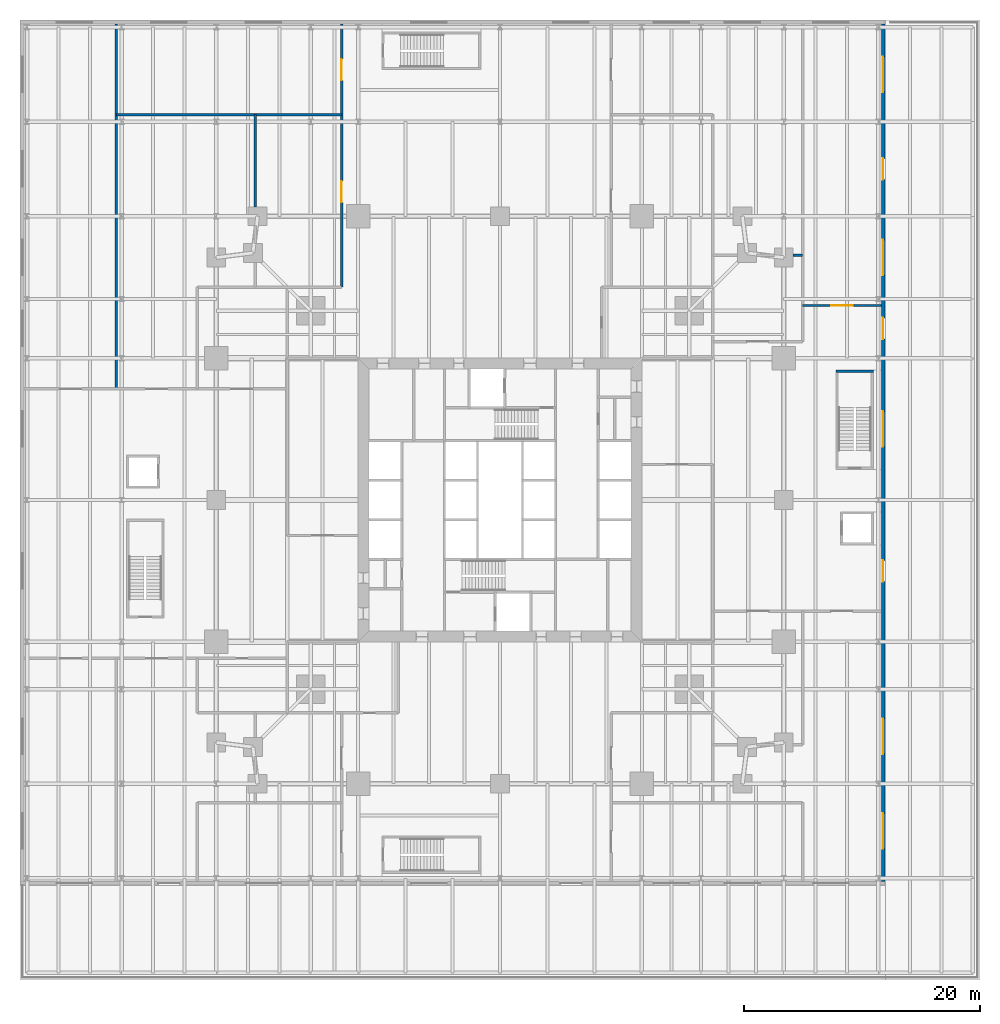
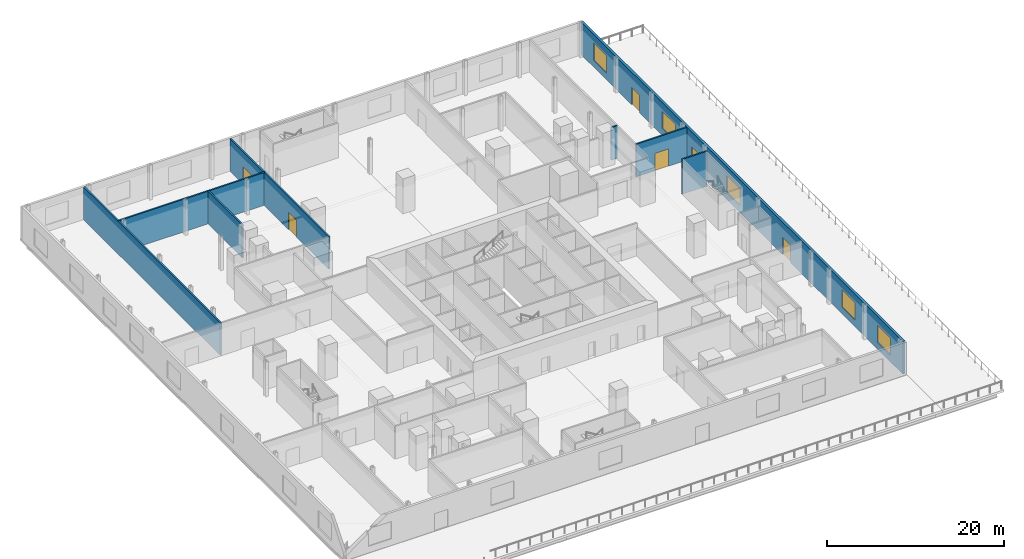
# One storey, part 14 of 18: 8 walls, 6 doors, 5 windows, 11 openings.
"""IFC4 building model written with IfcOpenShell, lengths in metres."""

from ifc_helpers import new_model, si_unit, direction, frame, frame_2d, origin, place, context, subcontext, project, spatial, rectangle, extrude, material, layer, layer_set, type_object, element, fill, save


model = new_model("IFC4")

# Units and contexts
model_context = context("Model", 3, precision=1e-05, world=origin(), true_north=direction((0.0, 1.0)))
body_context = subcontext(model_context, "Body", "Model", "MODEL_VIEW")
ifc_project = project(units=[si_unit("LENGTHUNIT", "METRE"), si_unit("AREAUNIT", "SQUARE_METRE"), si_unit("VOLUMEUNIT", "CUBIC_METRE"), si_unit("PLANEANGLEUNIT", "RADIAN"), si_unit("MASSUNIT", "GRAM", prefix="KILO")], contexts=[model_context])

# Site, building, storey
site_placement = place(None, origin())
site = spatial("IfcSite", under=ifc_project, at=site_placement, CompositionType="ELEMENT")
building_placement = place(site_placement, origin())
building = spatial("IfcBuilding", under=site, at=building_placement, Name="Fenwick Lantern Interchange", CompositionType="ELEMENT")
storey_placement = place(building_placement, frame((0.0, 0.0, 11.800048828125)))
storey = spatial("IfcBuildingStorey", under=building, at=storey_placement, Name="L02", CompositionType="ELEMENT", Elevation=11.800048828125)

# Wall, openings, doors, windows
ifc_material_1 = material(Name="Limestone ASTM C568 Classification II", Category="masonry")
ifc_layer_1 = layer(ifc_material_1, 0.074951171875)
ifc_material_2 = material(Name="Mineral wool insulation")
ifc_layer_2 = layer(ifc_material_2, 0.125)
ifc_material_3 = material(Name="Cold-formed galvanised steel studs", Category="steel")
ifc_layer_3 = layer(ifc_material_3, 0.10009765625)
ifc_layer_set_1 = layer_set([ifc_layer_1, ifc_layer_2, ifc_layer_3], Name="Limestone ASTM C568 Classification II")
wall_type_1 = type_object("IfcWallType", Name="LIMESTONE RAINSCREEN WALL 300", PredefinedType="SOLIDWALL", material=ifc_layer_set_1)
wall_1_placement = place(storey_placement, frame((57.39990234375, -7.25, 0.0), z_axis=(0.0, 0.0, 1.0), x_axis=(0.0, 1.0, 0.0)))
wall_1 = element("IfcWall", 1, at=wall_1_placement, inside=storey, type_object=wall_type_1, Name="L02/EW/E", PredefinedType="SOLIDWALL", context=body_context, shape_type="SweptSolid", body=[
    extrude(rectangle(XDim=72.5, YDim=0.300048828125, at=frame_2d((36.25, 0.0))), origin(), (0.0, 0.0, 1.0), 4.5),
])
opening_1_placement = place(wall_1_placement, frame((25.35009765625, 0.0, 0.0)))
opening_1 = element("IfcOpeningElement", 2, at=opening_1_placement, cuts=wall_1, Name="Opening L02-D003", PredefinedType="OPENING", context=body_context, shape_type="SweptSolid", body=[
    extrude(rectangle(XDim=1.800048828125, YDim=2.39990234375, at=frame_2d((0.89990234375, 1.199951171875))), frame((0.0, 0.159912109375, 0.0), z_axis=(0.0, -1.0, 0.0), x_axis=(1.0, 0.0, 0.0)), (0.0, 0.0, 1.0), 0.320068359375),
])
opening_2_placement = place(wall_1_placement, frame((45.85009765625, 0.0, 0.0)))
opening_2 = element("IfcOpeningElement", 3, at=opening_2_placement, cuts=wall_1, Name="Opening L02-D004", PredefinedType="OPENING", context=body_context, shape_type="SweptSolid", body=[
    extrude(rectangle(XDim=1.800048828125, YDim=2.39990234375, at=frame_2d((0.89990234375, 1.199951171875))), frame((0.0, 0.159912109375, 0.0), z_axis=(0.0, -1.0, 0.0), x_axis=(1.0, 0.0, 0.0)), (0.0, 0.0, 1.0), 0.320068359375),
])
opening_3_placement = place(wall_1_placement, frame((59.35009765625, 0.0, 0.0)))
opening_3 = element("IfcOpeningElement", 4, at=opening_3_placement, cuts=wall_1, Name="Opening L02-D005", PredefinedType="OPENING", context=body_context, shape_type="SweptSolid", body=[
    extrude(rectangle(XDim=1.800048828125, YDim=2.39990234375, at=frame_2d((0.89990234375, 1.199951171875))), frame((0.0, 0.159912109375, 0.0), z_axis=(0.0, -1.0, 0.0), x_axis=(1.0, 0.0, 0.0)), (0.0, 0.0, 1.0), 0.320068359375),
])
opening_4_placement = place(wall_1_placement, frame((2.75, 0.0, 0.89990234375)))
opening_4 = element("IfcOpeningElement", 5, at=opening_4_placement, cuts=wall_1, Name="Opening W1", PredefinedType="OPENING", context=body_context, shape_type="SweptSolid", body=[
    extrude(rectangle(XDim=3.0, YDim=2.39990234375, at=frame_2d((1.5, 1.199951171875))), frame((0.0, 0.159912109375, 0.0), z_axis=(0.0, -1.0, 0.0), x_axis=(1.0, 0.0, 0.0)), (0.0, 0.0, 1.0), 0.320068359375),
])
opening_5_placement = place(wall_1_placement, frame((10.75, 0.0, 0.89990234375)))
opening_5 = element("IfcOpeningElement", 6, at=opening_5_placement, cuts=wall_1, Name="Opening W1", PredefinedType="OPENING", context=body_context, shape_type="SweptSolid", body=[
    extrude(rectangle(XDim=3.0, YDim=2.39990234375, at=frame_2d((1.5, 1.199951171875))), frame((0.0, 0.159912109375, 0.0), z_axis=(0.0, -1.0, 0.0), x_axis=(1.0, 0.0, 0.0)), (0.0, 0.0, 1.0), 0.320068359375),
])
opening_6_placement = place(wall_1_placement, frame((36.75, 0.0, 0.89990234375)))
opening_6 = element("IfcOpeningElement", 7, at=opening_6_placement, cuts=wall_1, Name="Opening W1", PredefinedType="OPENING", context=body_context, shape_type="SweptSolid", body=[
    extrude(rectangle(XDim=3.0, YDim=2.39990234375, at=frame_2d((1.5, 1.199951171875))), frame((0.0, 0.159912109375, 0.0), z_axis=(0.0, -1.0, 0.0), x_axis=(1.0, 0.0, 0.0)), (0.0, 0.0, 1.0), 0.320068359375),
])
opening_7_placement = place(wall_1_placement, frame((51.25, 0.0, 0.89990234375)))
opening_7 = element("IfcOpeningElement", 8, at=opening_7_placement, cuts=wall_1, Name="Opening W1", PredefinedType="OPENING", context=body_context, shape_type="SweptSolid", body=[
    extrude(rectangle(XDim=3.0, YDim=2.39990234375, at=frame_2d((1.5, 1.199951171875))), frame((0.0, 0.159912109375, 0.0), z_axis=(0.0, -1.0, 0.0), x_axis=(1.0, 0.0, 0.0)), (0.0, 0.0, 1.0), 0.320068359375),
])
opening_8_placement = place(wall_1_placement, frame((66.75, 0.0, 0.89990234375)))
opening_8 = element("IfcOpeningElement", 9, at=opening_8_placement, cuts=wall_1, Name="Opening W1", PredefinedType="OPENING", context=body_context, shape_type="SweptSolid", body=[
    extrude(rectangle(XDim=3.0, YDim=2.39990234375, at=frame_2d((1.5, 1.199951171875))), frame((0.0, 0.159912109375, 0.0), z_axis=(0.0, -1.0, 0.0), x_axis=(1.0, 0.0, 0.0)), (0.0, 0.0, 1.0), 0.320068359375),
])
ifc_material_4 = material(Name="Aluminium glazed door", Category="aluminium")
door_type_1 = type_object("IfcDoorType", Name="ENTRANCE DOOR PAIR 1800 X 2400", OperationType="DOUBLE_DOOR_SINGLE_SWING", PredefinedType="DOOR", material=ifc_material_4)
door_1_placement = place(opening_1_placement, origin())
door_1 = element("IfcDoor", 10, at=door_1_placement, inside=storey, type_object=door_type_1, Name="Entrance door pair", OperationType="DOUBLE_DOOR_SINGLE_SWING", OverallHeight=2.39990234375, OverallWidth=1.800048828125, PredefinedType="DOOR", context=body_context, shape_type="SweptSolid", body=[
    extrude(rectangle(XDim=1.800048828125, YDim=2.39990234375, at=frame_2d((0.89990234375, 1.199951171875))), frame((0.0, 0.02490234375, 0.0), z_axis=(0.0, -1.0, 0.0), x_axis=(1.0, 0.0, 0.0)), (0.0, 0.0, 1.0), 0.050048828125),
])
fill(opening_1, door_1)
door_2_placement = place(opening_2_placement, origin())
door_2 = element("IfcDoor", 11, at=door_2_placement, inside=storey, type_object=door_type_1, Name="Entrance door pair", OperationType="DOUBLE_DOOR_SINGLE_SWING", OverallHeight=2.39990234375, OverallWidth=1.800048828125, PredefinedType="DOOR", context=body_context, shape_type="SweptSolid", body=[
    extrude(rectangle(XDim=1.800048828125, YDim=2.39990234375, at=frame_2d((0.89990234375, 1.199951171875))), frame((0.0, 0.02490234375, 0.0), z_axis=(0.0, -1.0, 0.0), x_axis=(1.0, 0.0, 0.0)), (0.0, 0.0, 1.0), 0.050048828125),
])
fill(opening_2, door_2)
door_3_placement = place(opening_3_placement, origin())
door_3 = element("IfcDoor", 12, at=door_3_placement, inside=storey, type_object=door_type_1, Name="Entrance door pair", OperationType="DOUBLE_DOOR_SINGLE_SWING", OverallHeight=2.39990234375, OverallWidth=1.800048828125, PredefinedType="DOOR", context=body_context, shape_type="SweptSolid", body=[
    extrude(rectangle(XDim=1.800048828125, YDim=2.39990234375, at=frame_2d((0.89990234375, 1.199951171875))), frame((0.0, 0.02490234375, 0.0), z_axis=(0.0, -1.0, 0.0), x_axis=(1.0, 0.0, 0.0)), (0.0, 0.0, 1.0), 0.050048828125),
])
fill(opening_3, door_3)
ifc_material_5 = material(Name="Aluminium window, clear glass", Category="aluminium")
window_type = type_object("IfcWindowType", Name="PODIUM WINDOW 3000 X 2400", PartitioningType="SINGLE_PANEL", PredefinedType="WINDOW", material=ifc_material_5)
window_1_placement = place(opening_4_placement, origin())
window_1 = element("IfcWindow", 13, at=window_1_placement, inside=storey, type_object=window_type, Name="Podium window", OverallHeight=2.39990234375, OverallWidth=3.0, PartitioningType="SINGLE_PANEL", PredefinedType="WINDOW", context=body_context, shape_type="SweptSolid", body=[
    extrude(rectangle(XDim=3.0, YDim=2.39990234375, at=frame_2d((1.5, 1.199951171875))), frame((0.0, 0.030029296875, 0.0), z_axis=(0.0, -1.0, 0.0), x_axis=(1.0, 0.0, 0.0)), (0.0, 0.0, 1.0), 0.06005859375),
])
fill(opening_4, window_1)
window_2_placement = place(opening_5_placement, origin())
window_2 = element("IfcWindow", 14, at=window_2_placement, inside=storey, type_object=window_type, Name="Podium window", OverallHeight=2.39990234375, OverallWidth=3.0, PartitioningType="SINGLE_PANEL", PredefinedType="WINDOW", context=body_context, shape_type="SweptSolid", body=[
    extrude(rectangle(XDim=3.0, YDim=2.39990234375, at=frame_2d((1.5, 1.199951171875))), frame((0.0, 0.030029296875, 0.0), z_axis=(0.0, -1.0, 0.0), x_axis=(1.0, 0.0, 0.0)), (0.0, 0.0, 1.0), 0.06005859375),
])
fill(opening_5, window_2)
window_3_placement = place(opening_6_placement, origin())
window_3 = element("IfcWindow", 15, at=window_3_placement, inside=storey, type_object=window_type, Name="Podium window", OverallHeight=2.39990234375, OverallWidth=3.0, PartitioningType="SINGLE_PANEL", PredefinedType="WINDOW", context=body_context, shape_type="SweptSolid", body=[
    extrude(rectangle(XDim=3.0, YDim=2.39990234375, at=frame_2d((1.5, 1.199951171875))), frame((0.0, 0.030029296875, 0.0), z_axis=(0.0, -1.0, 0.0), x_axis=(1.0, 0.0, 0.0)), (0.0, 0.0, 1.0), 0.06005859375),
])
fill(opening_6, window_3)
window_4_placement = place(opening_7_placement, origin())
window_4 = element("IfcWindow", 16, at=window_4_placement, inside=storey, type_object=window_type, Name="Podium window", OverallHeight=2.39990234375, OverallWidth=3.0, PartitioningType="SINGLE_PANEL", PredefinedType="WINDOW", context=body_context, shape_type="SweptSolid", body=[
    extrude(rectangle(XDim=3.0, YDim=2.39990234375, at=frame_2d((1.5, 1.199951171875))), frame((0.0, 0.030029296875, 0.0), z_axis=(0.0, -1.0, 0.0), x_axis=(1.0, 0.0, 0.0)), (0.0, 0.0, 1.0), 0.06005859375),
])
fill(opening_7, window_4)
window_5_placement = place(opening_8_placement, origin())
window_5 = element("IfcWindow", 17, at=window_5_placement, inside=storey, type_object=window_type, Name="Podium window", OverallHeight=2.39990234375, OverallWidth=3.0, PartitioningType="SINGLE_PANEL", PredefinedType="WINDOW", context=body_context, shape_type="SweptSolid", body=[
    extrude(rectangle(XDim=3.0, YDim=2.39990234375, at=frame_2d((1.5, 1.199951171875))), frame((0.0, 0.030029296875, 0.0), z_axis=(0.0, -1.0, 0.0), x_axis=(1.0, 0.0, 0.0)), (0.0, 0.0, 1.0), 0.06005859375),
])
fill(opening_8, window_5)

# Walls
ifc_material_6 = material(Name="Gypsum board on steel studs, 1 hour", Category="steel")
ifc_layer_4 = layer(ifc_material_6, 0.199951171875)
ifc_layer_set_2 = layer_set([ifc_layer_4], Name="ROOM WALL 200")
wall_type_2 = type_object("IfcWallType", Name="ROOM WALL 200", PredefinedType="PARTITIONING", material=ifc_layer_set_2)
wall_2_placement = place(storey_placement, frame((-7.449951171875, 34.39990234375, 0.0), z_axis=(0.0, 0.0, 1.0), x_axis=(0.0, 1.0, 0.0)))
element("IfcWall", 18, at=wall_2_placement, inside=storey, type_object=wall_type_2, Name="L02/W/POD/X-7.45-2", PredefinedType="PARTITIONING", context=body_context, shape_type="SweptSolid", body=[
    extrude(rectangle(XDim=30.85009765625, YDim=0.199951171875, at=frame_2d((15.425048828125, 0.0))), origin(), (0.0, 0.0, 1.0), 4.5),
])
wall_3_placement = place(storey_placement, frame((4.300048828125, 49.800048828125, 0.0), z_axis=(0.0, 0.0, 1.0), x_axis=(0.0, 1.0, 0.0)))
element("IfcWall", 19, at=wall_3_placement, inside=storey, type_object=wall_type_2, Name="L02/W/POD/X4.3-6", PredefinedType="PARTITIONING", context=body_context, shape_type="SweptSolid", body=[
    extrude(rectangle(XDim=7.800048828125, YDim=0.199951171875, at=frame_2d((3.89990234375, 0.0))), origin(), (0.0, 0.0, 1.0), 4.5),
])

# Wall, openings, doors
wall_4_placement = place(storey_placement, frame((11.60009765625, 43.0, 0.0), z_axis=(0.0, 0.0, 1.0), x_axis=(0.0, 1.0, 0.0)))
wall_4 = element("IfcWall", 20, at=wall_4_placement, inside=storey, type_object=wall_type_2, Name="L02/W/POD/X11.6-2", PredefinedType="PARTITIONING", context=body_context, shape_type="SweptSolid", body=[
    extrude(rectangle(XDim=22.25, YDim=0.199951171875, at=frame_2d((11.125, 0.0))), origin(), (0.0, 0.0, 1.0), 4.5),
])
opening_9_placement = place(wall_4_placement, frame((7.175048828125, 0.0, 0.0)))
opening_9 = element("IfcOpeningElement", 21, at=opening_9_placement, cuts=wall_4, Name="Opening L02-D044", PredefinedType="OPENING", context=body_context, shape_type="SweptSolid", body=[
    extrude(rectangle(XDim=1.800048828125, YDim=2.39990234375, at=frame_2d((0.89990234375, 1.199951171875))), frame((0.0, 0.10986328125, 0.0), z_axis=(0.0, -1.0, 0.0), x_axis=(1.0, 0.0, 0.0)), (0.0, 0.0, 1.0), 0.219970703125),
])
opening_10_placement = place(wall_4_placement, frame((17.5, 0.0, 0.0)))
opening_10 = element("IfcOpeningElement", 22, at=opening_10_placement, cuts=wall_4, Name="Opening L02-D045", PredefinedType="OPENING", context=body_context, shape_type="SweptSolid", body=[
    extrude(rectangle(XDim=1.800048828125, YDim=2.39990234375, at=frame_2d((0.89990234375, 1.199951171875))), frame((0.0, 0.10986328125, 0.0), z_axis=(0.0, -1.0, 0.0), x_axis=(1.0, 0.0, 0.0)), (0.0, 0.0, 1.0), 0.219970703125),
])
ifc_material_7 = material(Name="Steel door and frame", Category="steel")
door_type_2 = type_object("IfcDoorType", Name="ROOM DOOR PAIR 1800 X 2400", OperationType="DOUBLE_DOOR_SINGLE_SWING", PredefinedType="DOOR", material=ifc_material_7)
door_4_placement = place(opening_9_placement, frame((1.800048828125, 0.0, 0.0), z_axis=(0.0, 0.0, 1.0), x_axis=(-1.0, 0.0, 0.0)))
door_4 = element("IfcDoor", 23, at=door_4_placement, inside=storey, type_object=door_type_2, Name="Room door pair", OperationType="DOUBLE_DOOR_SINGLE_SWING", OverallHeight=2.39990234375, OverallWidth=1.800048828125, PredefinedType="DOOR", context=body_context, shape_type="SweptSolid", body=[
    extrude(rectangle(XDim=1.800048828125, YDim=2.39990234375, at=frame_2d((0.89990234375, 1.199951171875))), frame((0.0, 0.02490234375, 0.0), z_axis=(0.0, -1.0, 0.0), x_axis=(1.0, 0.0, 0.0)), (0.0, 0.0, 1.0), 0.050048828125),
])
fill(opening_9, door_4)
door_5_placement = place(opening_10_placement, frame((1.800048828125, 0.0, 0.0), z_axis=(0.0, 0.0, 1.0), x_axis=(-1.0, 0.0, 0.0)))
door_5 = element("IfcDoor", 24, at=door_5_placement, inside=storey, type_object=door_type_2, Name="Room door pair", OperationType="DOUBLE_DOOR_SINGLE_SWING", OverallHeight=2.39990234375, OverallWidth=1.800048828125, PredefinedType="DOOR", context=body_context, shape_type="SweptSolid", body=[
    extrude(rectangle(XDim=1.800048828125, YDim=2.39990234375, at=frame_2d((0.89990234375, 1.199951171875))), frame((0.0, 0.02490234375, 0.0), z_axis=(0.0, -1.0, 0.0), x_axis=(1.0, 0.0, 0.0)), (0.0, 0.0, 1.0), 0.050048828125),
])
fill(opening_10, door_5)

# Wall, opening, door
wall_5_placement = place(storey_placement, frame((50.60009765625, 41.449951171875, 0.0), z_axis=(0.0, 0.0, 1.0), x_axis=(1.0, 0.0, 0.0)))
wall_5 = element("IfcWall", 25, at=wall_5_placement, inside=storey, type_object=wall_type_2, Name="L02/W/POD/Y41.45-1", PredefinedType="PARTITIONING", context=body_context, shape_type="SweptSolid", body=[
    extrude(rectangle(XDim=6.64990234375, YDim=0.199951171875, at=frame_2d((3.324951171875, 0.0))), origin(), (0.0, 0.0, 1.0), 4.5),
])
opening_11_placement = place(wall_5_placement, frame((2.425048828125, 0.0, 0.0)))
opening_11 = element("IfcOpeningElement", 26, at=opening_11_placement, cuts=wall_5, Name="Opening L02-D038", PredefinedType="OPENING", context=body_context, shape_type="SweptSolid", body=[
    extrude(rectangle(XDim=1.800048828125, YDim=2.39990234375, at=frame_2d((0.89990234375, 1.199951171875))), frame((0.0, 0.10986328125, 0.0), z_axis=(0.0, -1.0, 0.0), x_axis=(1.0, 0.0, 0.0)), (0.0, 0.0, 1.0), 0.219970703125),
])
door_6_placement = place(opening_11_placement, frame((1.800048828125, 0.0, 0.0), z_axis=(0.0, 0.0, 1.0), x_axis=(-1.0, 0.0, 0.0)))
door_6 = element("IfcDoor", 27, at=door_6_placement, inside=storey, type_object=door_type_2, Name="Room door pair", OperationType="DOUBLE_DOOR_SINGLE_SWING", OverallHeight=2.39990234375, OverallWidth=1.800048828125, PredefinedType="DOOR", context=body_context, shape_type="SweptSolid", body=[
    extrude(rectangle(XDim=1.800048828125, YDim=2.39990234375, at=frame_2d((0.89990234375, 1.199951171875))), frame((0.0, 0.02490234375, 0.0), z_axis=(0.0, -1.0, 0.0), x_axis=(1.0, 0.0, 0.0)), (0.0, 0.0, 1.0), 0.050048828125),
])
fill(opening_11, door_6)

# Walls
wall_6_placement = place(storey_placement, frame((49.800048828125, 45.699951171875, 0.0), z_axis=(0.0, 0.0, 1.0), x_axis=(1.0, 0.0, 0.0)))
element("IfcWall", 28, at=wall_6_placement, inside=storey, type_object=wall_type_2, Name="L02/W/POD/Y45.7-3", PredefinedType="PARTITIONING", context=body_context, shape_type="SweptSolid", body=[
    extrude(rectangle(XDim=0.800048828125, YDim=0.199951171875, at=frame_2d((0.39990234375, 0.0))), origin(), (0.0, 0.0, 1.0), 4.5),
])
wall_7_placement = place(storey_placement, frame((-7.449951171875, 57.60009765625, 0.0), z_axis=(0.0, 0.0, 1.0), x_axis=(1.0, 0.0, 0.0)))
element("IfcWall", 29, at=wall_7_placement, inside=storey, type_object=wall_type_2, Name="L02/W/POD/Y57.6-1", PredefinedType="PARTITIONING", context=body_context, shape_type="SweptSolid", body=[
    extrude(rectangle(XDim=19.050048828125, YDim=0.199951171875, at=frame_2d((9.52490234375, 0.0))), origin(), (0.0, 0.0, 1.0), 4.5),
])
ifc_material_8 = material(Name="Reinforced concrete masonry ASTM C90 Grade N", Category="masonry")
ifc_layer_5 = layer(ifc_material_8, 0.199951171875)
ifc_layer_set_3 = layer_set([ifc_layer_5], Name="Reinforced concrete masonry ASTM C90 Grade N")
wall_type_3 = type_object("IfcWallType", Name="STAIR ENCLOSURE 200", PredefinedType="SOLIDWALL", material=ifc_layer_set_3)
wall_8_placement = place(storey_placement, frame((56.60009765625, 35.89990234375, 0.0), z_axis=(0.0, 0.0, 1.0), x_axis=(-1.0, 0.0, 0.0)))
element("IfcWall", 30, at=wall_8_placement, inside=storey, type_object=wall_type_3, Name="L02/W/PS4/N", PredefinedType="SOLIDWALL", context=body_context, shape_type="SweptSolid", body=[
    extrude(rectangle(XDim=3.2001953125, YDim=0.199951171875, at=frame_2d((1.60009765625, 0.0))), origin(), (0.0, 0.0, 1.0), 4.800048828125),
])

save(model, "model.ifc")
